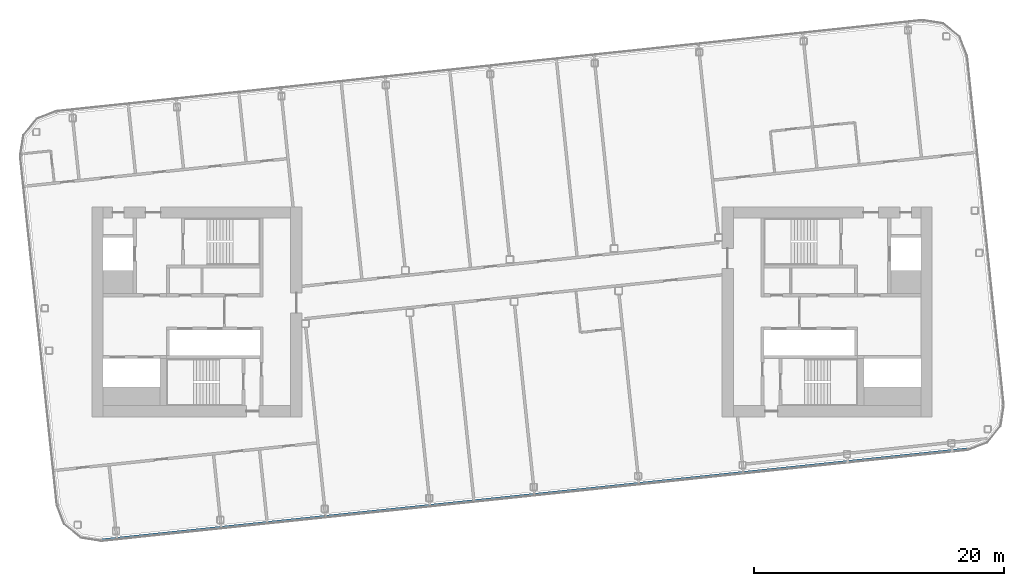
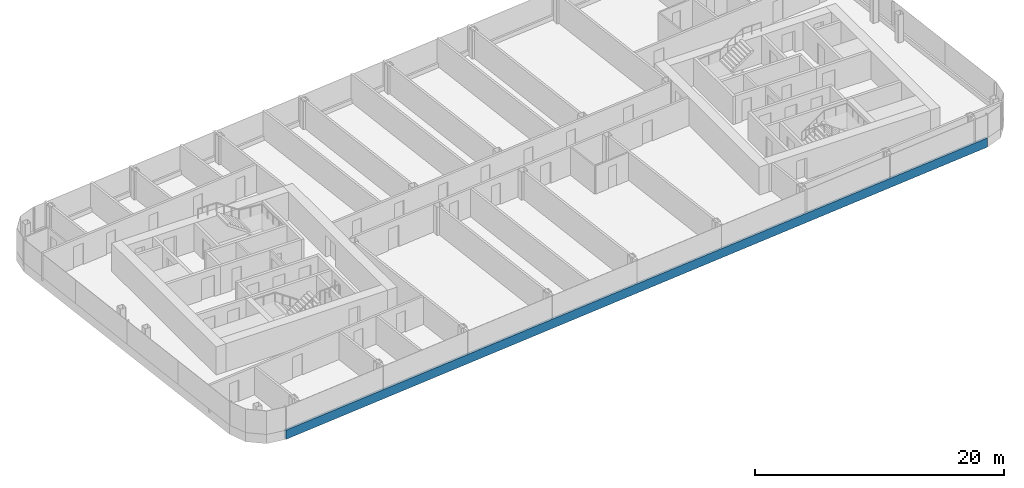
# One storey, part 6 of 26: 1 member, 1 element without a shape of its own.
"""IFC4 building model written with IfcOpenShell, lengths in metres."""

import ifcopenshell
import ifcopenshell.guid

model = None  # the IFC model being written
_history = None  # IfcOwnerHistory: only IFC2X3 demands one
_inside = {}  # id of a spatial element -> (the spatial element, [elements in it])
_under = {}  # id of a project, library or spatial element -> (it, [spatial elements below it])
_declared = {}  # id of a project -> (the project, [libraries it declares])
_typed = {}  # id of a type object -> (the type object, [elements of that type])
_made_of = {}  # id of a material, layer set ... -> (it, [elements and type objects made of it])


def new_model(schema):
    """Start an empty IFC model of exactly this schema.

    Asked for "IFC4X3", IfcOpenShell would pick the latest addendum, in which some entities
    have other attributes; the version numbers below select the first issue.
    IFC2X3 requires an IfcOwnerHistory on every rooted entity: one is made here for all.
    """
    global model, _history
    if schema == "IFC4X3":
        model = ifcopenshell.file(schema_version=(4, 3, 0, 0))
    else:
        model = ifcopenshell.file(schema=schema)
    _inside.clear()
    _under.clear()
    _declared.clear()
    _typed.clear()
    _made_of.clear()
    _history = None
    if model.schema == "IFC2X3":
        org = make("IfcOrganization", Name="unknown")
        user = make(
            "IfcPersonAndOrganization",
            ThePerson=make("IfcPerson", FamilyName="unknown"),
            TheOrganization=org,
        )
        app = make(
            "IfcApplication",
            ApplicationDeveloper=org,
            Version="unknown",
            ApplicationFullName="unknown",
            ApplicationIdentifier="unknown",
        )
        _history = make(
            "IfcOwnerHistory",
            OwningUser=user,
            OwningApplication=app,
            ChangeAction="ADDED",
            CreationDate=0,
        )
    return model


def make(cls, **values):
    """One entity of the class cls with the attributes given. An attribute that is None is left unset."""
    return model.create_entity(
        cls, **{name: value for name, value in values.items() if value is not None}
    )


def rooted(cls, **values):
    """An entity with a GlobalId (a new one), such as an element, a storey or a relation."""
    return make(cls, GlobalId=ifcopenshell.guid.new(), OwnerHistory=_history, **values)


def si_unit(unit_type, name, prefix=None):
    """IfcSIUnit, for example si_unit("LENGTHUNIT", "METRE", prefix="MILLI")."""
    return make("IfcSIUnit", UnitType=unit_type, Prefix=prefix, Name=name)


def assignment(units):
    """IfcUnitAssignment: the units of a project."""
    return None if units is None else make("IfcUnitAssignment", Units=units)


def point(xyz):
    """IfcCartesianPoint."""
    return None if xyz is None else make("IfcCartesianPoint", Coordinates=xyz)


def direction(xyz):
    """IfcDirection."""
    return None if xyz is None else make("IfcDirection", DirectionRatios=xyz)


def frame(location, z_axis=None, x_axis=None):
    """IfcAxis2Placement3D, a coordinate frame: its origin and axes. An axis left out is left unset."""
    return make(
        "IfcAxis2Placement3D",
        Location=point(location),
        Axis=direction(z_axis),
        RefDirection=direction(x_axis),
    )


def frame_2d(location, x_axis=None):
    """IfcAxis2Placement2D, a coordinate frame in the plane: its origin and x axis."""
    return make(
        "IfcAxis2Placement2D", Location=point(location), RefDirection=direction(x_axis)
    )


def origin():
    """The frame at (0, 0, 0) with its axes left unset."""
    return frame((0.0, 0.0, 0.0))


def origin_2d():
    """The frame at (0, 0) in the plane with its x axis left unset."""
    return frame_2d((0.0, 0.0))


def place(relative_to, where):
    """IfcLocalPlacement: puts the frame where relative to a parent placement (None: the world)."""
    return make(
        "IfcLocalPlacement", PlacementRelTo=relative_to, RelativePlacement=where
    )


def context(
    kind, dimensions, precision=None, world=None, true_north=None, identifier=None
):
    """IfcGeometricRepresentationContext, for example the 3D "Model" context."""
    return make(
        "IfcGeometricRepresentationContext",
        ContextIdentifier=identifier,
        ContextType=kind,
        CoordinateSpaceDimension=dimensions,
        Precision=precision,
        WorldCoordinateSystem=world,
        TrueNorth=true_north,
    )


def subcontext(parent, identifier, kind, view, scale=None):
    """IfcGeometricRepresentationSubContext, for example "Body" below "Model"."""
    return make(
        "IfcGeometricRepresentationSubContext",
        ContextIdentifier=identifier,
        ContextType=kind,
        ParentContext=parent,
        TargetScale=scale,
        TargetView=view,
    )


def project(units=None, contexts=None):
    """IfcProject with its units and contexts."""
    return rooted(
        "IfcProject",
        Name="project",
        RepresentationContexts=contexts,
        UnitsInContext=assignment(units),
    )


def spatial(cls, under=None, at=None, **own):
    """A site, building, storey or space (cls), placed at a placement, below another one or the project."""
    s = rooted(cls, ObjectPlacement=at, **own)
    if under is not None:
        _under.setdefault(under.id(), (under, []))[1].append(s)
    return s


def profile(cls, at=None, kind="AREA", **sizes):
    """A parametric profile (cls). Its sizes go by their IFC names, for example OverallWidth=200.0."""
    return make(cls, ProfileType=kind, Position=at, **sizes)


def rectangle(**sizes):
    """IfcRectangleProfileDef."""
    return profile("IfcRectangleProfileDef", **sizes)


def extrude(swept, where, along, depth):
    """IfcExtrudedAreaSolid: the profile swept, set in the frame where, extruded along a direction by depth."""
    return make(
        "IfcExtrudedAreaSolid",
        SweptArea=swept,
        Position=where,
        ExtrudedDirection=direction(along),
        Depth=depth,
    )


def shape(context_of_items, identifier, shape_type, items):
    """IfcShapeRepresentation: the items that make up one representation, for example the "Body"."""
    return make(
        "IfcShapeRepresentation",
        ContextOfItems=context_of_items,
        RepresentationIdentifier=identifier,
        RepresentationType=shape_type,
        Items=items,
    )


def material(Name=None, Category=None):
    """IfcMaterial."""
    return make("IfcMaterial", Name=Name, Category=Category)


def layer(
    of_material, thickness, ventilated=None, Name=None, Category=None, Priority=None
):
    """IfcMaterialLayer: one layer of a wall or slab, of a material (None: an air gap)."""
    return make(
        "IfcMaterialLayer",
        Material=of_material,
        LayerThickness=thickness,
        IsVentilated=ventilated,
        Name=Name,
        Category=Category,
        Priority=Priority,
    )


def layer_set(layers, Name=None):
    """IfcMaterialLayerSet."""
    return make("IfcMaterialLayerSet", MaterialLayers=layers, LayerSetName=Name)


def material_profile(
    of_material, cross_section, Name=None, Category=None, Priority=None
):
    """IfcMaterialProfile: a cross section and its material."""
    return make(
        "IfcMaterialProfile",
        Name=Name,
        Material=of_material,
        Profile=cross_section,
        Priority=Priority,
        Category=Category,
    )


def profile_set(profiles, Name=None, composite=None):
    """IfcMaterialProfileSet."""
    return make(
        "IfcMaterialProfileSet",
        Name=Name,
        MaterialProfiles=profiles,
        CompositeProfile=composite,
    )


def made_of(thing, what):
    """Note that an element or type object is made of a material, layer set ...; save() writes the relation."""
    if what is not None:
        _made_of.setdefault(what.id(), (what, []))[1].append(thing)
    return thing


def type_object(cls, material=None, **own):
    """A type object (cls), such as IfcWallType, which elements share."""
    return made_of(rooted(cls, **own), material)


def element(
    cls,
    number,
    at=None,
    inside=None,
    cuts=None,
    type_object=None,
    material=None,
    context=None,
    identifier="Body",
    shape_type=None,
    held_by="IfcProductDefinitionShape",
    body=None,
    shapes=None,
    **own,
):
    """One element of the class cls, such as IfcWall. Its Tag is "e" and its number.

    at: its placement. inside: the storey or other place that contains it. cuts: it is an
    opening in that element (IfcRelVoidsElement). A single representation is given by context,
    identifier, shape_type and body (its items); several are given by shapes. held_by: the class
    of the entity that holds the representations. save() writes the other relations.
    """
    e = rooted(cls, Tag="e%d" % number, ObjectPlacement=at, **own)
    if body is not None:
        shapes = [shape(context, identifier, shape_type, body)]
    if shapes is not None:
        e.Representation = make(held_by, Representations=shapes)
    if inside is not None:
        _inside.setdefault(inside.id(), (inside, []))[1].append(e)
    if cuts is not None:
        rooted(
            "IfcRelVoidsElement", RelatingBuildingElement=cuts, RelatedOpeningElement=e
        )
    if type_object is not None:
        _typed.setdefault(type_object.id(), (type_object, []))[1].append(e)
    return made_of(e, material)


def aggregate(whole, parts):
    """IfcRelAggregates: a whole, such as a stair, and the parts it consists of."""
    return rooted("IfcRelAggregates", RelatingObject=whole, RelatedObjects=parts)


def save(model, path):
    """Write the relations noted so far, then the file.

    IfcRelAggregates (storeys below a building ...), IfcRelContainedInSpatialStructure (elements
    in a storey), IfcRelDefinesByType, IfcRelAssociatesMaterial and IfcRelDeclares: one each for
    every whole, place, type object, material and project.
    """
    for whole, parts in _under.values():
        aggregate(whole, parts)
    for where, things in _inside.values():
        rooted(
            "IfcRelContainedInSpatialStructure",
            RelatedElements=things,
            RelatingStructure=where,
        )
    for kind, things in _typed.values():
        rooted("IfcRelDefinesByType", RelatedObjects=things, RelatingType=kind)
    for what, things in _made_of.values():
        rooted("IfcRelAssociatesMaterial", RelatedObjects=things, RelatingMaterial=what)
    for by, libraries in _declared.values():
        rooted("IfcRelDeclares", RelatingContext=by, RelatedDefinitions=libraries)
    model.write(path)


model = new_model("IFC4")

# Units and contexts
model_context = context("Model", 3, precision=1e-05, world=origin(), true_north=direction((0.0, 1.0)))
body_context = subcontext(model_context, "Body", "Model", "MODEL_VIEW")
ifc_project = project(units=[si_unit("LENGTHUNIT", "METRE"), si_unit("AREAUNIT", "SQUARE_METRE"), si_unit("VOLUMEUNIT", "CUBIC_METRE"), si_unit("PLANEANGLEUNIT", "RADIAN"), si_unit("MASSUNIT", "GRAM", prefix="KILO")], contexts=[model_context])

# Site, building, storey
site_placement = place(None, origin())
site = spatial("IfcSite", under=ifc_project, at=site_placement, CompositionType="ELEMENT")
building_placement = place(site_placement, origin())
building = spatial("IfcBuilding", under=site, at=building_placement, Name="Hakoniwa Tower and Hamabe Station Hall", CompositionType="ELEMENT")
storey_placement = place(building_placement, frame((0.0, 0.0, 251.800048828125)))
storey = spatial("IfcBuildingStorey", under=building, at=storey_placement, Name="L71", CompositionType="ELEMENT", Elevation=251.800048828125)

# Curtain wall, member
ifc_material_1 = material(Name="Dark low-e laminated glass", Category="glass")
ifc_layer = layer(ifc_material_1, 0.199951171875)
ifc_layer_set = layer_set([ifc_layer], Name="CW-1 UNITISED GUEST")
curtain_wall_type = type_object("IfcCurtainWallType", Name="CW-1 UNITISED GUEST", PredefinedType="NOTDEFINED", material=ifc_layer_set)
curtain_wall_placement = place(storey_placement, origin())
curtain_wall = element("IfcCurtainWall", 1, at=curtain_wall_placement, inside=storey, type_object=curtain_wall_type, Name="CW-1 curtain wall", PredefinedType="NOTDEFINED")
ifc_material_2 = material(Name="Aluminium 6063-T5 black anodised", Category="aluminium")
ifc_material_profile = material_profile(ifc_material_2, rectangle(XDim=0.199951171875, YDim=0.89990234375, at=origin_2d()), Name="CW SLAB-EDGE BAND 900X200")
ifc_profile_set = profile_set([ifc_material_profile], Name="Aluminium 6063-T5 black anodised")
member_type = type_object("IfcMemberType", Name="CW SLAB-EDGE BAND 900X200", PredefinedType="USERDEFINED", material=ifc_profile_set)
member_placement = place(storey_placement, frame((-32.850830078125, -18.24755859375, -0.10009765625), z_axis=(0.994521894037, 0.10452847593, 0.0), x_axis=(-0.10452847593, 0.994521894037, 0.0)))
member = element("IfcMember", 2, at=member_placement, type_object=member_type, Name="CW-1 transom", ObjectType="TRANSOM", PredefinedType="USERDEFINED", context=body_context, shape_type="SweptSolid", body=[
    extrude(rectangle(XDim=0.199951171875, YDim=0.89990234375, at=origin_2d()), origin(), (0.0, 0.0, 1.0), 69.678955078125),
])
aggregate(curtain_wall, [member])

save(model, "model.ifc")
